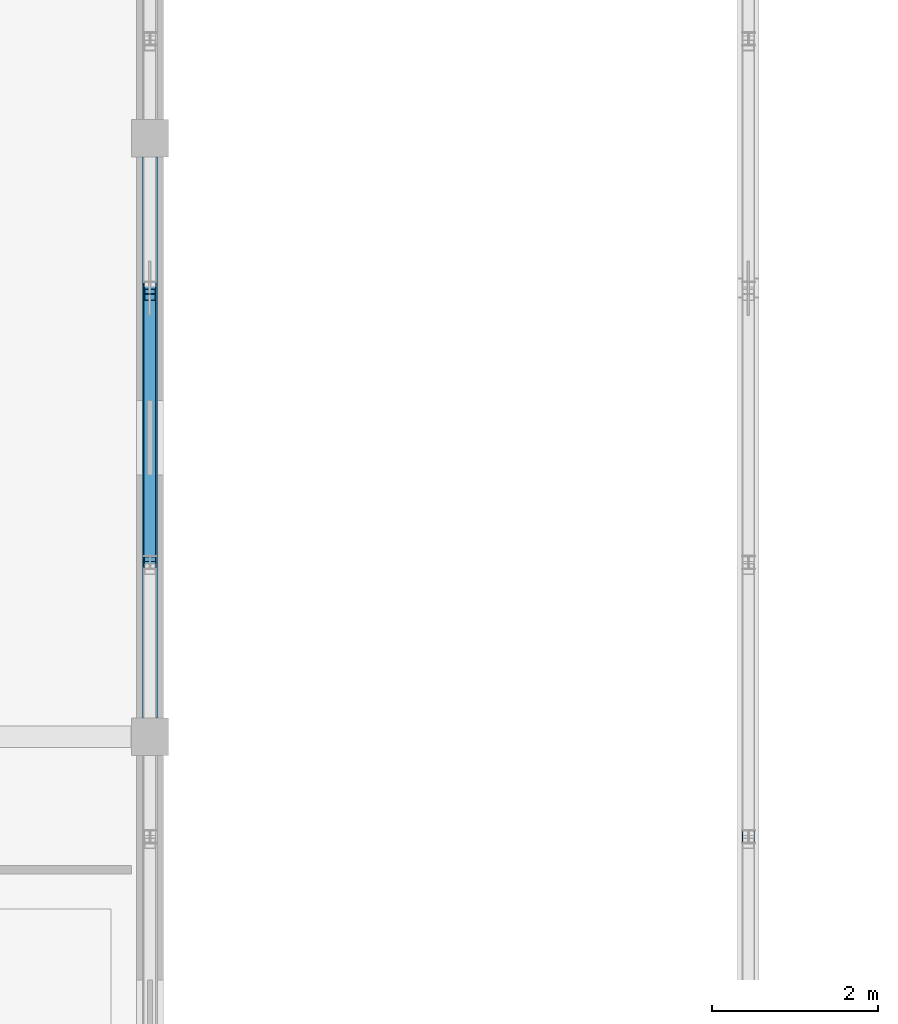
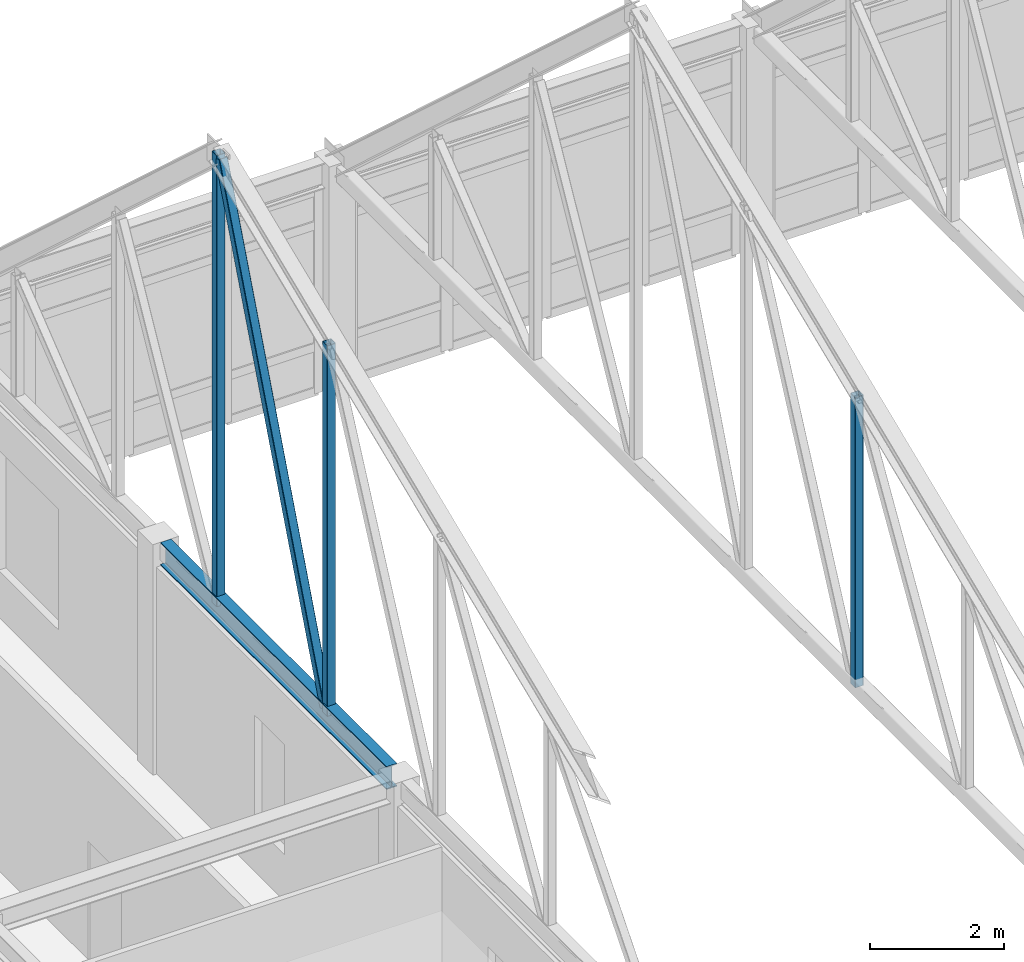
# One storey, part 21 of 136: 4 members, 1 beam.
"""IFC4 building model written with IfcOpenShell, lengths in metres."""

from ifc_helpers import new_model, si_unit, direction, frame, origin, origin_2d, place, context, subcontext, project, spatial, hollow_rectangle, i_section, extrude, material, material_profile, profile_set, type_object, element, save


model = new_model("IFC4")

# Units and contexts
model_context = context("Model", 3, precision=1e-05, world=origin(), true_north=direction((0.0, 1.0)))
body_context = subcontext(model_context, "Body", "Model", "MODEL_VIEW")
ifc_project = project(units=[si_unit("LENGTHUNIT", "METRE"), si_unit("AREAUNIT", "SQUARE_METRE"), si_unit("VOLUMEUNIT", "CUBIC_METRE"), si_unit("PLANEANGLEUNIT", "RADIAN"), si_unit("MASSUNIT", "GRAM", prefix="KILO")], contexts=[model_context])

# Site, building, storey
site_placement = place(None, origin())
site = spatial("IfcSite", under=ifc_project, at=site_placement, CompositionType="ELEMENT")
building_placement = place(site_placement, origin())
building = spatial("IfcBuilding", under=site, at=building_placement, Name="Koriwan Promenade Central Fire Station", CompositionType="ELEMENT")
storey_placement = place(building_placement, frame((0.0, 0.0, 5.39990234375)))
storey = spatial("IfcBuildingStorey", under=building, at=storey_placement, Name="L01", CompositionType="ELEMENT", Elevation=5.39990234375)

# Members
ifc_material_1 = material(Name="Steel ASTM A500 Grade C", Category="steel")
ifc_material_profile_1 = material_profile(ifc_material_1, hollow_rectangle(XDim=0.14990234375, YDim=0.14990234375, WallThickness=0.008056640625, InnerFilletRadius=0.008056640625, OuterFilletRadius=0.01611328125, at=origin_2d()), Name="HSS150x150x8")
ifc_profile_set_1 = profile_set([ifc_material_profile_1], Name="Steel ASTM A500 Grade C")
member_type = type_object("IfcMemberType", Name="Member_STRUT_HSS150x150x8", PredefinedType="STRUT", material=ifc_profile_set_1)
member_1_placement = place(storey_placement, frame((64.800048828125, 59.699951171875, 4.02001953125), z_axis=(0.0, 0.0, 1.0), x_axis=(1.0, 0.0, 0.0)))
element("IfcMember", 1, at=member_1_placement, inside=storey, type_object=member_type, Name="TR_V1_02 vertical 5", PredefinedType="STRUT", context=body_context, shape_type="SweptSolid", body=[
    extrude(hollow_rectangle(XDim=0.14990234375, YDim=0.14990234375, WallThickness=0.008056640625, InnerFilletRadius=0.008056640625, OuterFilletRadius=0.01611328125, at=origin_2d()), origin(), (0.0, 0.0, 1.0), 6.753662109375),
])
member_2_placement = place(storey_placement, frame((64.800048828125, 63.0, 4.02001953125), z_axis=(0.0, 0.0, 1.0), x_axis=(1.0, 0.0, 0.0)))
element("IfcMember", 2, at=member_2_placement, inside=storey, type_object=member_type, Name="TR_V1_02 vertical 6", PredefinedType="STRUT", context=body_context, shape_type="SweptSolid", body=[
    extrude(hollow_rectangle(XDim=0.14990234375, YDim=0.14990234375, WallThickness=0.008056640625, InnerFilletRadius=0.008056640625, OuterFilletRadius=0.01611328125, at=origin_2d()), origin(), (0.0, 0.0, 1.0), 8.220458984375),
])
member_3_placement = place(storey_placement, frame((64.800048828125, 59.780029296875, 4.070068359375), z_axis=(0.0, 0.360647144455, 0.932702330434), x_axis=(-1.0, 0.0, 0.0)))
element("IfcMember", 3, at=member_3_placement, inside=storey, type_object=member_type, Name="TR_V1_02 web diagonal 6", PredefinedType="STRUT", context=body_context, shape_type="SweptSolid", body=[
    extrude(hollow_rectangle(XDim=0.14990234375, YDim=0.14990234375, WallThickness=0.008056640625, InnerFilletRadius=0.008056640625, OuterFilletRadius=0.01611328125, at=origin_2d()), origin(), (0.0, 0.0, 1.0), 8.706298828125),
])
member_4_placement = place(storey_placement, frame((72.0, 56.39990234375, 4.02001953125), z_axis=(0.0, 0.0, 1.0), x_axis=(1.0, 0.0, 0.0)))
element("IfcMember", 4, at=member_4_placement, inside=storey, type_object=member_type, Name="TR_V1_03 vertical 4", PredefinedType="STRUT", context=body_context, shape_type="SweptSolid", body=[
    extrude(hollow_rectangle(XDim=0.14990234375, YDim=0.14990234375, WallThickness=0.008056640625, InnerFilletRadius=0.008056640625, OuterFilletRadius=0.01611328125, at=origin_2d()), origin(), (0.0, 0.0, 1.0), 5.287109375),
])

# Beam
ifc_material_2 = material(Name="Steel ASTM A992 Grade 50", Category="steel")
ifc_material_profile_2 = material_profile(ifc_material_2, i_section(OverallWidth=0.180908203125, OverallDepth=0.4169921875, WebThickness=0.010986328125, FlangeThickness=0.018310546875, FilletRadius=0.01611328125, at=origin_2d()), Name="W410x85")
ifc_profile_set_2 = profile_set([ifc_material_profile_2], Name="Steel ASTM A992 Grade 50")
beam_type = type_object("IfcBeamType", Name="SteelBeam_W410x85", PredefinedType="BEAM", material=ifc_profile_set_2)
beam_placement = place(storey_placement, frame((64.800048828125, 57.824951171875, 3.99169921875), z_axis=(0.0, 1.0, 0.0), x_axis=(-1.0, 0.0, 0.0)))
element("IfcBeam", 5, at=beam_placement, inside=storey, type_object=beam_type, Name="V1 L01 girder Y-68", PredefinedType="BEAM", context=body_context, shape_type="SweptSolid", body=[
    extrude(i_section(OverallWidth=0.180908203125, OverallDepth=0.4169921875, WebThickness=0.010986328125, FlangeThickness=0.018310546875, FilletRadius=0.01611328125, at=origin_2d()), origin(), (0.0, 0.0, 1.0), 6.75),
])

save(model, "model.ifc")
